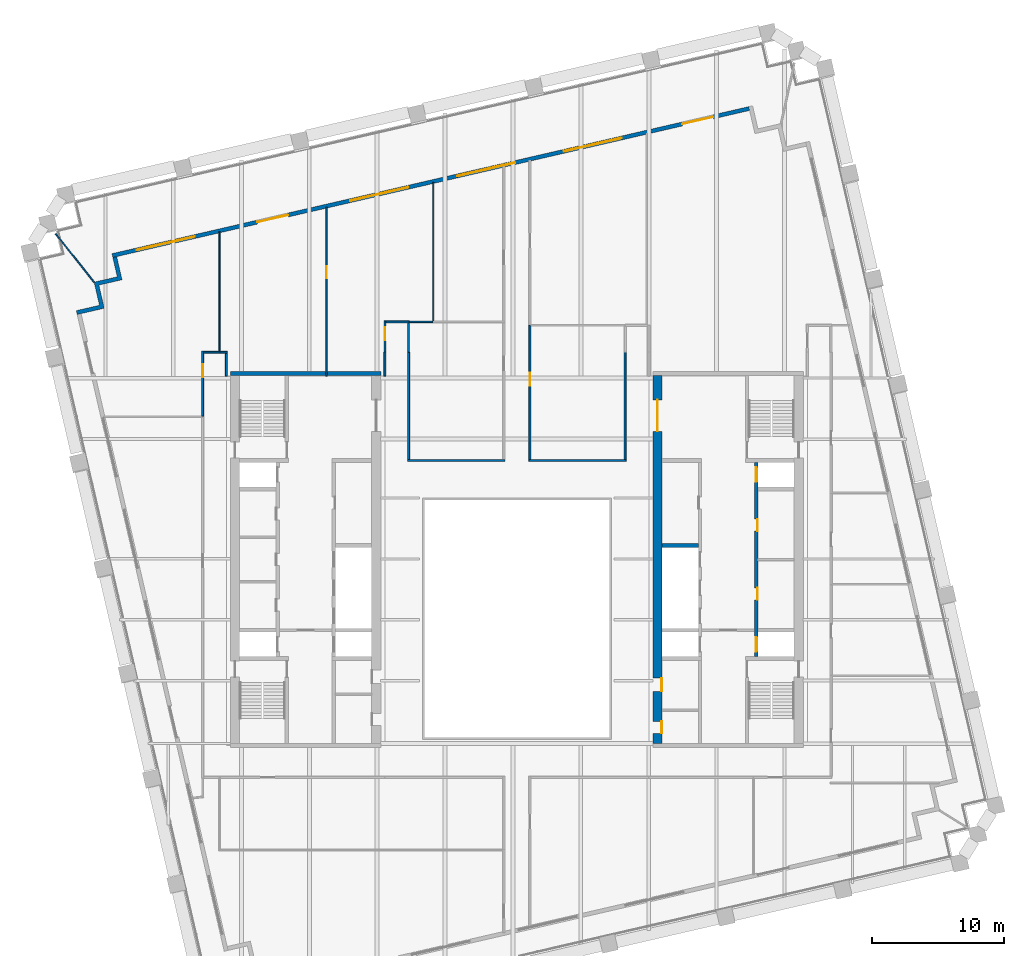
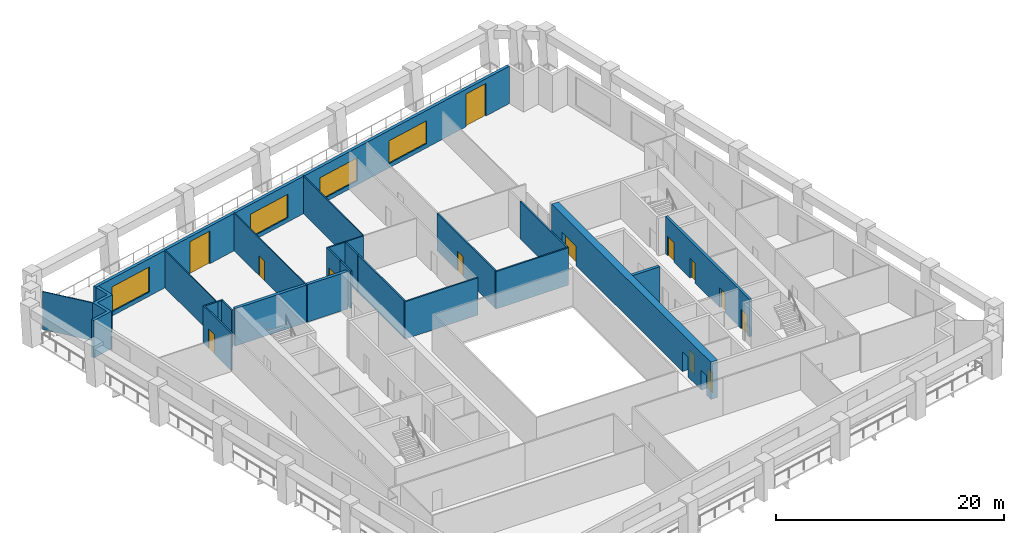
# One storey, part 6 of 10: 24 walls, 13 doors, 4 windows, 17 openings.
"""IFC4 building model written with IfcOpenShell, lengths in metres."""

from ifc_helpers import new_model, si_unit, direction, frame, frame_2d, origin, place, context, subcontext, project, spatial, polyline, rectangle, outline, extrude, material, layer, layer_set, type_object, element, fill, save


model = new_model("IFC4")

# Units and contexts
model_context = context("Model", 3, precision=1e-05, world=origin(), true_north=direction((0.0, 1.0)))
body_context = subcontext(model_context, "Body", "Model", "MODEL_VIEW")
ifc_project = project(units=[si_unit("LENGTHUNIT", "METRE"), si_unit("AREAUNIT", "SQUARE_METRE"), si_unit("VOLUMEUNIT", "CUBIC_METRE"), si_unit("PLANEANGLEUNIT", "RADIAN"), si_unit("MASSUNIT", "GRAM", prefix="KILO")], contexts=[model_context])

# Site, building, storey
site_placement = place(None, origin())
site = spatial("IfcSite", under=ifc_project, at=site_placement, CompositionType="ELEMENT")
building_placement = place(site_placement, origin())
building = spatial("IfcBuilding", under=site, at=building_placement, Name="Ogive Exchange Tower", CompositionType="ELEMENT")
storey_placement = place(building_placement, frame((0.0, 0.0, 196.800048828125)))
storey = spatial("IfcBuildingStorey", under=building, at=storey_placement, Name="L43", CompositionType="ELEMENT", Elevation=196.800048828125)

# Wall, opening, door
ifc_material_1 = material(Name="Fire partition EI 60 150")
ifc_layer_1 = layer(ifc_material_1, 0.14990234375)
ifc_layer_set_1 = layer_set([ifc_layer_1], Name="Fire partition EI 60 150")
wall_type_1 = type_object("IfcWallType", Name="Fire partition EI 60 150", PredefinedType="PARTITIONING", material=ifc_layer_set_1)
wall_1_placement = place(storey_placement, frame((-23.800048828125, 22.360107421875, 0.0), z_axis=(0.0, 0.0, 1.0), x_axis=(0.0, 1.0, 0.0)))
wall_1 = element("IfcWall", 1, at=wall_1_placement, inside=storey, type_object=wall_type_1, Name="L43-PWL-004", PredefinedType="PARTITIONING", context=body_context, shape_type="SweptSolid", body=[
    extrude(rectangle(XDim=4.914794921875, YDim=0.14990234375, at=frame_2d((2.45751953125, 0.0))), origin(), (0.0, 0.0, 1.0), 4.0),
])
opening_1_placement = place(wall_1_placement, frame((2.93994140625, 0.0, 0.0)))
opening_1 = element("IfcOpeningElement", 2, at=opening_1_placement, cuts=wall_1, Name="Opening L43-I06", PredefinedType="OPENING", context=body_context, shape_type="SweptSolid", body=[
    extrude(rectangle(XDim=1.0, YDim=2.10009765625, at=frame_2d((0.5, 1.050048828125))), frame((0.0, 0.0849609375, 0.0), z_axis=(0.0, -1.0, 0.0), x_axis=(1.0, 0.0, 0.0)), (0.0, 0.0, 1.0), 0.169921875),
])
ifc_material_2 = material(Name="Fire door FD 30S 1000 x 2100")
door_type_1 = type_object("IfcDoorType", Name="Fire door FD 30S 1000 x 2100", OperationType="NOTDEFINED", PredefinedType="DOOR", material=ifc_material_2)
door_1_placement = place(opening_1_placement, origin())
door_1 = element("IfcDoor", 3, at=door_1_placement, inside=storey, type_object=door_type_1, Name="L43-IDR-006", ObjectType="DT3", OperationType="SINGLE_SWING_RIGHT", OverallHeight=2.10009765625, OverallWidth=1.0, PredefinedType="DOOR", context=body_context, shape_type="SweptSolid", body=[
    extrude(rectangle(XDim=1.0, YDim=2.10009765625, at=frame_2d((0.5, 1.050048828125))), frame((0.0, 0.02490234375, 0.0), z_axis=(0.0, -1.0, 0.0), x_axis=(1.0, 0.0, 0.0)), (0.0, 0.0, 1.0), 0.050048828125),
])
fill(opening_1, door_1)

# Walls
wall_2_placement = place(storey_placement, frame((-23.72509765625, 27.199951171875, 0.0), z_axis=(0.0, 0.0, 1.0), x_axis=(1.0, 0.0, 0.0)))
element("IfcWall", 4, at=wall_2_placement, inside=storey, type_object=wall_type_1, Name="L43-PWL-005", PredefinedType="PARTITIONING", context=body_context, shape_type="SweptSolid", body=[
    extrude(rectangle(XDim=1.255126953125, YDim=0.14990234375, at=frame_2d((0.62744140625, 0.0))), origin(), (0.0, 0.0, 1.0), 4.0),
])
wall_3_placement = place(storey_placement, frame((-22.469970703125, 27.199951171875, 0.0), z_axis=(0.0, 0.0, 1.0), x_axis=(1.0, 0.0, 0.0)))
element("IfcWall", 5, at=wall_3_placement, inside=storey, type_object=wall_type_1, Name="L43-PWL-010", PredefinedType="PARTITIONING", context=body_context, shape_type="SweptSolid", body=[
    extrude(rectangle(XDim=0.544921875, YDim=0.14990234375, at=frame_2d((0.2724609375, 0.0))), origin(), (0.0, 0.0, 1.0), 4.0),
])
wall_4_placement = place(storey_placement, frame((-22.0, 27.125, 0.0), z_axis=(0.0, 0.0, 1.0), x_axis=(0.0, -1.0, 0.0)))
element("IfcWall", 6, at=wall_4_placement, inside=storey, type_object=wall_type_1, Name="L43-PWL-011", PredefinedType="PARTITIONING", context=body_context, shape_type="SweptSolid", body=[
    extrude(rectangle(XDim=1.72509765625, YDim=0.14990234375, at=frame_2d((0.862548828125, 0.0))), origin(), (0.0, 0.0, 1.0), 4.0),
])
wall_5_placement = place(storey_placement, frame((-10.0, 25.389892578125, 0.0), z_axis=(0.0, 0.0, 1.0), x_axis=(0.0, 1.0, 0.0)))
element("IfcWall", 7, at=wall_5_placement, inside=storey, type_object=wall_type_1, Name="L43-PWL-014", PredefinedType="PARTITIONING", context=body_context, shape_type="SweptSolid", body=[
    extrude(rectangle(XDim=1.81005859375, YDim=0.14990234375, at=frame_2d((0.905029296875, 0.0))), origin(), (0.0, 0.0, 1.0), 4.0),
])

# Wall, opening, door
wall_6_placement = place(storey_placement, frame((-9.989990234375, 27.199951171875, 0.0), z_axis=(0.0, 0.0, 1.0), x_axis=(0.0, 1.0, 0.0)))
wall_6 = element("IfcWall", 8, at=wall_6_placement, inside=storey, type_object=wall_type_1, Name="L43-PWL-015", PredefinedType="PARTITIONING", context=body_context, shape_type="SweptSolid", body=[
    extrude(rectangle(XDim=2.375, YDim=0.14990234375, at=frame_2d((1.1875, 0.0))), origin(), (0.0, 0.0, 1.0), 4.0),
])
opening_2_placement = place(wall_6_placement, frame((0.89990234375, 0.0, 0.0)))
opening_2 = element("IfcOpeningElement", 9, at=opening_2_placement, cuts=wall_6, Name="Opening L43-I03", PredefinedType="OPENING", context=body_context, shape_type="SweptSolid", body=[
    extrude(rectangle(XDim=1.0, YDim=2.10009765625, at=frame_2d((0.5, 1.050048828125))), frame((0.0, 0.0849609375, 0.0), z_axis=(0.0, -1.0, 0.0), x_axis=(1.0, 0.0, 0.0)), (0.0, 0.0, 1.0), 0.169921875),
])
door_2_placement = place(opening_2_placement, origin())
door_2 = element("IfcDoor", 10, at=door_2_placement, inside=storey, type_object=door_type_1, Name="L43-IDR-003", ObjectType="DT3", OperationType="SINGLE_SWING_LEFT", OverallHeight=2.10009765625, OverallWidth=1.0, PredefinedType="DOOR", context=body_context, shape_type="SweptSolid", body=[
    extrude(rectangle(XDim=1.0, YDim=2.10009765625, at=frame_2d((0.5, 1.050048828125))), frame((0.0, 0.02490234375, 0.0), z_axis=(0.0, -1.0, 0.0), x_axis=(1.0, 0.0, 0.0)), (0.0, 0.0, 1.0), 0.050048828125),
])
fill(opening_2, door_2)

# Walls
wall_7_placement = place(storey_placement, frame((-9.9150390625, 29.5, 0.0), z_axis=(0.0, 0.0, 1.0), x_axis=(1.0, 0.0, 0.0)))
element("IfcWall", 11, at=wall_7_placement, inside=storey, type_object=wall_type_1, Name="L43-PWL-016", PredefinedType="PARTITIONING", context=body_context, shape_type="SweptSolid", body=[
    extrude(rectangle(XDim=1.780029296875, YDim=0.14990234375, at=frame_2d((0.89013671875, 0.0))), origin(), (0.0, 0.0, 1.0), 4.0),
])
wall_8_placement = place(storey_placement, frame((-8.2099609375, 29.425048828125, 0.0), z_axis=(0.0, 0.0, 1.0), x_axis=(0.0, -1.0, 0.0)))
element("IfcWall", 12, at=wall_8_placement, inside=storey, type_object=wall_type_1, Name="L43-PWL-017", PredefinedType="PARTITIONING", context=body_context, shape_type="SweptSolid", body=[
    extrude(rectangle(XDim=2.22509765625, YDim=0.14990234375, at=frame_2d((1.112548828125, 0.0))), origin(), (0.0, 0.0, 1.0), 4.0),
])
wall_9_placement = place(storey_placement, frame((-8.27490234375, 19.0, 0.0), z_axis=(0.0, 0.0, 1.0), x_axis=(1.0, 0.0, 0.0)))
element("IfcWall", 13, at=wall_9_placement, inside=storey, type_object=wall_type_1, Name="L43-PWL-019", PredefinedType="PARTITIONING", context=body_context, shape_type="SweptSolid", body=[
    extrude(rectangle(XDim=7.35986328125, YDim=0.14990234375, at=frame_2d((3.679931640625, 0.0))), origin(), (0.0, 0.0, 1.0), 4.0),
])
wall_10_placement = place(storey_placement, frame((-8.199951171875, 27.199951171875, 0.0), z_axis=(0.0, 0.0, 1.0), x_axis=(0.0, -1.0, 0.0)))
element("IfcWall", 14, at=wall_10_placement, inside=storey, type_object=wall_type_1, Name="L43-PWL-020", PredefinedType="PARTITIONING", context=body_context, shape_type="SweptSolid", body=[
    extrude(rectangle(XDim=8.125, YDim=0.14990234375, at=frame_2d((4.0625, 0.0))), origin(), (0.0, 0.0, 1.0), 4.0),
])
wall_11_placement = place(storey_placement, frame((0.9150390625, 19.0, 0.0), z_axis=(0.0, 0.0, 1.0), x_axis=(1.0, 0.0, 0.0)))
element("IfcWall", 15, at=wall_11_placement, inside=storey, type_object=wall_type_1, Name="L43-PWL-030", PredefinedType="PARTITIONING", context=body_context, shape_type="SweptSolid", body=[
    extrude(rectangle(XDim=7.35986328125, YDim=0.14990234375, at=frame_2d((3.679931640625, 0.0))), origin(), (0.0, 0.0, 1.0), 4.0),
])

# Wall, opening, door
wall_12_placement = place(storey_placement, frame((0.989990234375, 29.239990234375, 0.0), z_axis=(0.0, 0.0, 1.0), x_axis=(0.0, -1.0, 0.0)))
wall_12 = element("IfcWall", 16, at=wall_12_placement, inside=storey, type_object=wall_type_1, Name="L43-PWL-031", PredefinedType="PARTITIONING", context=body_context, shape_type="SweptSolid", body=[
    extrude(rectangle(XDim=10.1650390625, YDim=0.14990234375, at=frame_2d((5.08251953125, 0.0))), origin(), (0.0, 0.0, 1.0), 4.0),
])
opening_3_placement = place(wall_12_placement, frame((3.590087890625, 0.0, 0.0)))
opening_3 = element("IfcOpeningElement", 17, at=opening_3_placement, cuts=wall_12, Name="Opening L43-I09", PredefinedType="OPENING", context=body_context, shape_type="SweptSolid", body=[
    extrude(rectangle(XDim=1.0, YDim=2.10009765625, at=frame_2d((0.5, 1.050048828125))), frame((0.0, 0.0849609375, 0.0), z_axis=(0.0, -1.0, 0.0), x_axis=(1.0, 0.0, 0.0)), (0.0, 0.0, 1.0), 0.169921875),
])
door_3_placement = place(opening_3_placement, origin())
door_3 = element("IfcDoor", 18, at=door_3_placement, inside=storey, type_object=door_type_1, Name="L43-IDR-009", ObjectType="DT3", OperationType="SINGLE_SWING_RIGHT", OverallHeight=2.10009765625, OverallWidth=1.0, PredefinedType="DOOR", context=body_context, shape_type="SweptSolid", body=[
    extrude(rectangle(XDim=1.0, YDim=2.10009765625, at=frame_2d((0.5, 1.050048828125))), frame((0.0, 0.02490234375, 0.0), z_axis=(0.0, -1.0, 0.0), x_axis=(1.0, 0.0, 0.0)), (0.0, 0.0, 1.0), 0.050048828125),
])
fill(opening_3, door_3)

# Wall
wall_13_placement = place(storey_placement, frame((8.199951171875, 19.074951171875, 0.0), z_axis=(0.0, 0.0, 1.0), x_axis=(0.0, 1.0, 0.0)))
element("IfcWall", 19, at=wall_13_placement, inside=storey, type_object=wall_type_1, Name="L43-PWL-034", PredefinedType="PARTITIONING", context=body_context, shape_type="SweptSolid", body=[
    extrude(rectangle(XDim=8.125, YDim=0.14990234375, at=frame_2d((4.0625, 0.0))), origin(), (0.0, 0.0, 1.0), 4.0),
])

# Wall, openings, doors, windows
ifc_material_3 = material(Name="Precast concrete C40/50", Category="concrete")
ifc_layer_2 = layer(ifc_material_3, 0.300048828125)
ifc_layer_set_2 = layer_set([ifc_layer_2], Name="Limestone-faced wall 300")
wall_type_2 = type_object("IfcWallType", Name="Limestone-faced wall 300", PredefinedType="STANDARD", material=ifc_layer_set_2)
wall_14_placement = place(storey_placement, frame((17.592041015625, 45.6572265625, 0.0), z_axis=(0.0, 0.0, 1.0), x_axis=(-0.974370243697, -0.224950279389, 0.0)))
wall_14 = element("IfcWall", 20, at=wall_14_placement, inside=storey, type_object=wall_type_2, Name="External wall N3", PredefinedType="STANDARD", context=body_context, shape_type="SweptSolid", body=[
    extrude(rectangle(XDim=49.499755859375, YDim=0.300048828125, at=frame_2d((24.75, 0.0))), origin(), (0.0, 0.0, 1.0), 4.0),
])
opening_4_placement = place(wall_14_placement, frame((2.800048828125, 0.0, 0.0)))
opening_4 = element("IfcOpeningElement", 21, at=opening_4_placement, cuts=wall_14, Name="Opening D1", PredefinedType="OPENING", context=body_context, shape_type="SweptSolid", body=[
    extrude(rectangle(XDim=2.39990234375, YDim=3.5, at=frame_2d((1.199951171875, 1.75))), frame((0.0, 0.159912109375, 0.0), z_axis=(0.0, -1.0, 0.0), x_axis=(1.0, 0.0, 0.0)), (0.0, 0.0, 1.0), 0.320068359375),
])
opening_5_placement = place(wall_14_placement, frame((9.89990234375, 0.0, 0.449951171875)))
opening_5 = element("IfcOpeningElement", 22, at=opening_5_placement, cuts=wall_14, Name="Opening W1Q", PredefinedType="OPENING", context=body_context, shape_type="SweptSolid", body=[
    extrude(rectangle(XDim=4.5, YDim=2.449951171875, at=frame_2d((2.25, 1.22509765625))), frame((0.0, 0.159912109375, 0.0), z_axis=(0.0, -1.0, 0.0), x_axis=(1.0, 0.0, 0.0)), (0.0, 0.0, 1.0), 0.320068359375),
])
opening_6_placement = place(wall_14_placement, frame((18.199951171875, 0.0, 0.449951171875)))
opening_6 = element("IfcOpeningElement", 23, at=opening_6_placement, cuts=wall_14, Name="Opening W1Q", PredefinedType="OPENING", context=body_context, shape_type="SweptSolid", body=[
    extrude(rectangle(XDim=4.5, YDim=2.449951171875, at=frame_2d((2.25, 1.22509765625))), frame((0.0, 0.159912109375, 0.0), z_axis=(0.0, -1.0, 0.0), x_axis=(1.0, 0.0, 0.0)), (0.0, 0.0, 1.0), 0.320068359375),
])
opening_7_placement = place(wall_14_placement, frame((26.5, 0.0, 0.449951171875)))
opening_7 = element("IfcOpeningElement", 24, at=opening_7_placement, cuts=wall_14, Name="Opening W1N", PredefinedType="OPENING", context=body_context, shape_type="SweptSolid", body=[
    extrude(rectangle(XDim=4.5, YDim=2.52490234375, at=frame_2d((2.25, 1.262451171875))), frame((0.0, 0.159912109375, 0.0), z_axis=(0.0, -1.0, 0.0), x_axis=(1.0, 0.0, 0.0)), (0.0, 0.0, 1.0), 0.320068359375),
])
opening_8_placement = place(wall_14_placement, frame((35.85009765625, 0.0, 0.0)))
opening_8 = element("IfcOpeningElement", 25, at=opening_8_placement, cuts=wall_14, Name="Opening D1", PredefinedType="OPENING", context=body_context, shape_type="SweptSolid", body=[
    extrude(rectangle(XDim=2.39990234375, YDim=3.5, at=frame_2d((1.199951171875, 1.75))), frame((0.0, 0.159912109375, 0.0), z_axis=(0.0, -1.0, 0.0), x_axis=(1.0, 0.0, 0.0)), (0.0, 0.0, 1.0), 0.320068359375),
])
opening_9_placement = place(wall_14_placement, frame((43.10009765625, 0.0, 0.449951171875)))
opening_9 = element("IfcOpeningElement", 26, at=opening_9_placement, cuts=wall_14, Name="Opening W1J", PredefinedType="OPENING", context=body_context, shape_type="SweptSolid", body=[
    extrude(rectangle(XDim=4.5, YDim=2.675048828125, at=frame_2d((2.25, 1.33740234375))), frame((0.0, 0.159912109375, 0.0), z_axis=(0.0, -1.0, 0.0), x_axis=(1.0, 0.0, 0.0)), (0.0, 0.0, 1.0), 0.320068359375),
])
ifc_material_4 = material(Name="Clear glass in bronze frame", Category="glass")
door_type_2 = type_object("IfcDoorType", Name="Sliding loggia door 2400 x 3500", OperationType="DOUBLE_DOOR_SLIDING", PredefinedType="DOOR", material=ifc_material_4)
door_4_placement = place(opening_4_placement, origin())
door_4 = element("IfcDoor", 27, at=door_4_placement, inside=storey, type_object=door_type_2, Name="Loggia door N00", OperationType="DOUBLE_DOOR_SLIDING", OverallHeight=3.5, OverallWidth=2.39990234375, PredefinedType="DOOR", context=body_context, shape_type="SweptSolid", body=[
    extrude(rectangle(XDim=2.39990234375, YDim=3.5, at=frame_2d((1.199951171875, 1.75))), frame((0.0, 0.02490234375, 0.0), z_axis=(0.0, -1.0, 0.0), x_axis=(1.0, 0.0, 0.0)), (0.0, 0.0, 1.0), 0.050048828125),
])
fill(opening_4, door_4)
door_5_placement = place(opening_8_placement, origin())
door_5 = element("IfcDoor", 28, at=door_5_placement, inside=storey, type_object=door_type_2, Name="Loggia door N04", OperationType="DOUBLE_DOOR_SLIDING", OverallHeight=3.5, OverallWidth=2.39990234375, PredefinedType="DOOR", context=body_context, shape_type="SweptSolid", body=[
    extrude(rectangle(XDim=2.39990234375, YDim=3.5, at=frame_2d((1.199951171875, 1.75))), frame((0.0, 0.02490234375, 0.0), z_axis=(0.0, -1.0, 0.0), x_axis=(1.0, 0.0, 0.0)), (0.0, 0.0, 1.0), 0.050048828125),
])
fill(opening_8, door_5)
window_type_1 = type_object("IfcWindowType", Name="Twin lancet window 4500 x 2450", PartitioningType="DOUBLE_PANEL_VERTICAL", PredefinedType="WINDOW", material=ifc_material_4)
window_1_placement = place(opening_5_placement, origin())
window_1 = element("IfcWindow", 29, at=window_1_placement, inside=storey, type_object=window_type_1, Name="Window N01", OverallHeight=2.449951171875, OverallWidth=4.5, PartitioningType="DOUBLE_PANEL_VERTICAL", PredefinedType="WINDOW", context=body_context, shape_type="SweptSolid", body=[
    extrude(rectangle(XDim=4.5, YDim=2.449951171875, at=frame_2d((2.25, 1.22509765625))), frame((0.0, 0.030029296875, 0.0), z_axis=(0.0, -1.0, 0.0), x_axis=(1.0, 0.0, 0.0)), (0.0, 0.0, 1.0), 0.06005859375),
])
fill(opening_5, window_1)
window_2_placement = place(opening_6_placement, origin())
window_2 = element("IfcWindow", 30, at=window_2_placement, inside=storey, type_object=window_type_1, Name="Window N02", OverallHeight=2.449951171875, OverallWidth=4.5, PartitioningType="DOUBLE_PANEL_VERTICAL", PredefinedType="WINDOW", context=body_context, shape_type="SweptSolid", body=[
    extrude(rectangle(XDim=4.5, YDim=2.449951171875, at=frame_2d((2.25, 1.22509765625))), frame((0.0, 0.030029296875, 0.0), z_axis=(0.0, -1.0, 0.0), x_axis=(1.0, 0.0, 0.0)), (0.0, 0.0, 1.0), 0.06005859375),
])
fill(opening_6, window_2)
window_type_2 = type_object("IfcWindowType", Name="Twin lancet window 4500 x 2525", PartitioningType="DOUBLE_PANEL_VERTICAL", PredefinedType="WINDOW", material=ifc_material_4)
window_3_placement = place(opening_7_placement, origin())
window_3 = element("IfcWindow", 31, at=window_3_placement, inside=storey, type_object=window_type_2, Name="Window N03", OverallHeight=2.52490234375, OverallWidth=4.5, PartitioningType="DOUBLE_PANEL_VERTICAL", PredefinedType="WINDOW", context=body_context, shape_type="SweptSolid", body=[
    extrude(rectangle(XDim=4.5, YDim=2.52490234375, at=frame_2d((2.25, 1.262451171875))), frame((0.0, 0.030029296875, 0.0), z_axis=(0.0, -1.0, 0.0), x_axis=(1.0, 0.0, 0.0)), (0.0, 0.0, 1.0), 0.06005859375),
])
fill(opening_7, window_3)
window_type_3 = type_object("IfcWindowType", Name="Twin lancet window 4500 x 2675", PartitioningType="DOUBLE_PANEL_VERTICAL", PredefinedType="WINDOW", material=ifc_material_4)
window_4_placement = place(opening_9_placement, origin())
window_4 = element("IfcWindow", 32, at=window_4_placement, inside=storey, type_object=window_type_3, Name="Window N05", OverallHeight=2.675048828125, OverallWidth=4.5, PartitioningType="DOUBLE_PANEL_VERTICAL", PredefinedType="WINDOW", context=body_context, shape_type="SweptSolid", body=[
    extrude(rectangle(XDim=4.5, YDim=2.675048828125, at=frame_2d((2.25, 1.33740234375))), frame((0.0, 0.030029296875, 0.0), z_axis=(0.0, -1.0, 0.0), x_axis=(1.0, 0.0, 0.0)), (0.0, 0.0, 1.0), 0.06005859375),
])
fill(opening_9, window_4)

# Walls
wall_15_placement = place(storey_placement, origin())
element("IfcWall", 33, at=wall_15_placement, inside=storey, type_object=wall_type_2, Name="External corner wall C3", PredefinedType="STANDARD", context=body_context, shape_type="SweptSolid", body=[
    extrude(outline(polyline([(-31.616943359375, 30.755615234375), (-32.02197265625, 32.509521484375), (-30.26806640625, 32.914306640625), (-30.60546875, 34.3759765625), (-30.31298828125, 34.443359375), (-29.908203125, 32.689697265625), (-31.662109375, 32.28466796875), (-31.257080078125, 30.53076171875), (-33.30322265625, 30.058349609375), (-33.370849609375, 30.3505859375), (-31.616943359375, 30.755615234375)])), origin(), (0.0, 0.0, 1.0), 4.0),
])
ifc_material_5 = material(Name="Laminated safety glass in steel frame", Category="steel")
ifc_layer_3 = layer(ifc_material_5, 0.10009765625)
ifc_layer_set_3 = layer_set([ifc_layer_3], Name="Loggia end screen 100")
wall_type_3 = type_object("IfcWallType", Name="Loggia end screen 100", PredefinedType="STANDARD", material=ifc_layer_set_3)
wall_16_placement = place(storey_placement, frame((-32.02197265625, 32.509521484375, -0.050048828125), z_axis=(0.0, 0.0, 1.0), x_axis=(-0.623096408526, 0.782145041333, 0.0)))
element("IfcWall", 34, at=wall_16_placement, inside=storey, type_object=wall_type_3, Name="Loggia end screen C3", PredefinedType="STANDARD", context=body_context, shape_type="SweptSolid", body=[
    extrude(rectangle(XDim=4.697021484375, YDim=0.10009765625, at=frame_2d((2.3486328125, 0.0))), origin(), (0.0, 0.0, 1.0), 4.050048828125),
])
ifc_material_6 = material(Name="Partition 100 gypsum")
ifc_layer_4 = layer(ifc_material_6, 0.10009765625)
ifc_layer_set_4 = layer_set([ifc_layer_4], Name="Partition 100 gypsum")
wall_type_4 = type_object("IfcWallType", Name="Partition 100 gypsum", PredefinedType="PARTITIONING", material=ifc_layer_set_4)
wall_17_placement = place(storey_placement, frame((-22.52001953125, 27.27490234375, 0.0), z_axis=(0.0, 0.0, 1.0), x_axis=(0.0, 1.0, 0.0)))
element("IfcWall", 35, at=wall_17_placement, inside=storey, type_object=wall_type_4, Name="L43-PWL-009", PredefinedType="PARTITIONING", context=body_context, shape_type="SweptSolid", body=[
    extrude(rectangle(XDim=9.050048828125, YDim=0.10009765625, at=frame_2d((4.52490234375, 0.0))), origin(), (0.0, 0.0, 1.0), 4.0),
])

# Wall, opening, door
wall_18_placement = place(storey_placement, frame((-14.429931640625, 38.193115234375, 0.0), z_axis=(0.0, 0.0, 1.0), x_axis=(0.0, -1.0, 0.0)))
wall_18 = element("IfcWall", 36, at=wall_18_placement, inside=storey, type_object=wall_type_4, Name="L43-PWL-012", PredefinedType="PARTITIONING", context=body_context, shape_type="SweptSolid", body=[
    extrude(rectangle(XDim=12.793212890625, YDim=0.10009765625, at=frame_2d((6.396484375, 0.0))), origin(), (0.0, 0.0, 1.0), 4.0),
])
opening_10_placement = place(wall_18_placement, frame((4.472900390625, 0.0, 0.0)))
opening_10 = element("IfcOpeningElement", 37, at=opening_10_placement, cuts=wall_18, Name="Opening L43-I01", PredefinedType="OPENING", context=body_context, shape_type="SweptSolid", body=[
    extrude(rectangle(XDim=0.89990234375, YDim=2.10009765625, at=frame_2d((0.449951171875, 1.050048828125))), frame((0.0, 0.06005859375, 0.0), z_axis=(0.0, -1.0, 0.0), x_axis=(1.0, 0.0, 0.0)), (0.0, 0.0, 1.0), 0.1201171875),
])
ifc_material_7 = material(Name="Door 900 x 2100")
door_type_3 = type_object("IfcDoorType", Name="Door 900 x 2100", OperationType="NOTDEFINED", PredefinedType="DOOR", material=ifc_material_7)
door_6_placement = place(opening_10_placement, frame((0.89990234375, 0.0, 0.0), z_axis=(0.0, 0.0, 1.0), x_axis=(-1.0, 0.0, 0.0)))
door_6 = element("IfcDoor", 38, at=door_6_placement, inside=storey, type_object=door_type_3, Name="L43-IDR-001", ObjectType="DT1", OperationType="SINGLE_SWING_RIGHT", OverallHeight=2.10009765625, OverallWidth=0.89990234375, PredefinedType="DOOR", context=body_context, shape_type="SweptSolid", body=[
    extrude(rectangle(XDim=0.89990234375, YDim=2.10009765625, at=frame_2d((0.449951171875, 1.050048828125))), frame((0.0, 0.02490234375, 0.0), z_axis=(0.0, -1.0, 0.0), x_axis=(1.0, 0.0, 0.0)), (0.0, 0.0, 1.0), 0.050048828125),
])
fill(opening_10, door_6)

# Walls
wall_19_placement = place(storey_placement, frame((-8.135009765625, 29.5, 0.0), z_axis=(0.0, 0.0, 1.0), x_axis=(1.0, 0.0, 0.0)))
element("IfcWall", 39, at=wall_19_placement, inside=storey, type_object=wall_type_4, Name="L43-PWL-018", PredefinedType="PARTITIONING", context=body_context, shape_type="SweptSolid", body=[
    extrude(rectangle(XDim=1.7451171875, YDim=0.10009765625, at=frame_2d((0.87255859375, 0.0))), origin(), (0.0, 0.0, 1.0), 4.0),
])
wall_20_placement = place(storey_placement, frame((-6.340087890625, 40.06103515625, 0.0), z_axis=(0.0, 0.0, 1.0), x_axis=(0.0, -1.0, 0.0)))
element("IfcWall", 40, at=wall_20_placement, inside=storey, type_object=wall_type_4, Name="L43-PWL-022", PredefinedType="PARTITIONING", context=body_context, shape_type="SweptSolid", body=[
    extrude(rectangle(XDim=10.510986328125, YDim=0.10009765625, at=frame_2d((5.25537109375, 0.0))), origin(), (0.0, 0.0, 1.0), 4.0),
])

# Wall, openings, doors
ifc_material_8 = material(Name="Concrete C70/85", Category="concrete")
ifc_layer_5 = layer(ifc_material_8, 0.25)
ifc_layer_set_5 = layer_set([ifc_layer_5], Name="RC core wall 250 C70/85")
wall_type_5 = type_object("IfcWallType", Name="RC core wall 250 C70/85", PredefinedType="SHEAR", material=ifc_layer_set_5)
wall_21_placement = place(storey_placement, frame((18.125, 4.14990234375, 0.0), z_axis=(0.0, 0.0, 1.0), x_axis=(0.0, 1.0, 0.0)))
wall_21 = element("IfcWall", 41, at=wall_21_placement, inside=storey, type_object=wall_type_5, Name="E row A front wall", PredefinedType="SHEAR", context=body_context, shape_type="SweptSolid", body=[
    extrude(rectangle(XDim=14.7001953125, YDim=0.25, at=frame_2d((7.35009765625, 0.0))), origin(), (0.0, 0.0, 1.0), 4.0),
])
opening_11_placement = place(wall_21_placement, frame((4.29638671875, 0.0, 0.0)))
opening_11 = element("IfcOpeningElement", 42, at=opening_11_placement, cuts=wall_21, Name="Opening L43-C19", PredefinedType="OPENING", context=body_context, shape_type="SweptSolid", body=[
    extrude(rectangle(XDim=0.89990234375, YDim=2.10009765625, at=frame_2d((0.449951171875, 1.050048828125))), frame((0.0, 0.135009765625, 0.0), z_axis=(0.0, -1.0, 0.0), x_axis=(1.0, 0.0, 0.0)), (0.0, 0.0, 1.0), 0.27001953125),
])
opening_12_placement = place(wall_21_placement, frame((9.503662109375, 0.0, 0.0)))
opening_12 = element("IfcOpeningElement", 43, at=opening_12_placement, cuts=wall_21, Name="Opening L43-C20", PredefinedType="OPENING", context=body_context, shape_type="SweptSolid", body=[
    extrude(rectangle(XDim=0.89990234375, YDim=2.10009765625, at=frame_2d((0.449951171875, 1.050048828125))), frame((0.0, 0.135009765625, 0.0), z_axis=(0.0, -1.0, 0.0), x_axis=(1.0, 0.0, 0.0)), (0.0, 0.0, 1.0), 0.27001953125),
])
opening_13_placement = place(wall_21_placement, frame((0.371337890625, 0.0, 0.0)))
opening_13 = element("IfcOpeningElement", 44, at=opening_13_placement, cuts=wall_21, Name="Opening L43-C21", PredefinedType="OPENING", context=body_context, shape_type="SweptSolid", body=[
    extrude(rectangle(XDim=1.10009765625, YDim=2.10009765625, at=frame_2d((0.550048828125, 1.050048828125))), frame((0.0, 0.135009765625, 0.0), z_axis=(0.0, -1.0, 0.0), x_axis=(1.0, 0.0, 0.0)), (0.0, 0.0, 1.0), 0.27001953125),
])
opening_14_placement = place(wall_21_placement, frame((13.228515625, 0.0, 0.0)))
opening_14 = element("IfcOpeningElement", 45, at=opening_14_placement, cuts=wall_21, Name="Opening L43-C22", PredefinedType="OPENING", context=body_context, shape_type="SweptSolid", body=[
    extrude(rectangle(XDim=1.10009765625, YDim=2.10009765625, at=frame_2d((0.550048828125, 1.050048828125))), frame((0.0, 0.135009765625, 0.0), z_axis=(0.0, -1.0, 0.0), x_axis=(1.0, 0.0, 0.0)), (0.0, 0.0, 1.0), 0.27001953125),
])
ifc_material_9 = material(Name="Timber fire door", Category="wood")
door_type_4 = type_object("IfcDoorType", Name="Core room door FD30S 900 x 2100", OperationType="NOTDEFINED", PredefinedType="DOOR", material=ifc_material_9)
door_7_placement = place(opening_12_placement, frame((0.89990234375, -0.2001953125, 0.0), z_axis=(0.0, 0.0, 1.0), x_axis=(-1.0, 0.0, 0.0)))
door_7 = element("IfcDoor", 46, at=door_7_placement, inside=storey, type_object=door_type_4, Name="Core room door", ObjectType="CD6", OperationType="SINGLE_SWING_RIGHT", OverallHeight=2.10009765625, OverallWidth=0.89990234375, PredefinedType="DOOR", context=body_context, shape_type="SweptSolid", body=[
    extrude(rectangle(XDim=0.89990234375, YDim=2.10009765625, at=frame_2d((0.449951171875, 1.050048828125))), frame((0.0, -0.0751953125, 0.0), z_axis=(0.0, -1.0, 0.0), x_axis=(1.0, 0.0, 0.0)), (0.0, 0.0, 1.0), 0.050048828125),
])
fill(opening_12, door_7)
ifc_material_10 = material(Name="Stainless steel", Category="steel")
door_type_5 = type_object("IfcDoorType", Name="Lift landing door FD90 1100 x 2100", OperationType="SLIDING_TO_LEFT", PredefinedType="DOOR", material=ifc_material_10)
door_8_placement = place(opening_13_placement, origin())
door_8 = element("IfcDoor", 47, at=door_8_placement, inside=storey, type_object=door_type_5, Name="Lift landing door FF2", ObjectType="LD", OperationType="SLIDING_TO_LEFT", OverallHeight=2.10009765625, OverallWidth=1.10009765625, PredefinedType="DOOR", context=body_context, shape_type="SweptSolid", body=[
    extrude(rectangle(XDim=1.10009765625, YDim=2.10009765625, at=frame_2d((0.550048828125, 1.050048828125))), frame((0.0, 0.02490234375, 0.0), z_axis=(0.0, -1.0, 0.0), x_axis=(1.0, 0.0, 0.0)), (0.0, 0.0, 1.0), 0.050048828125),
])
fill(opening_13, door_8)
door_9_placement = place(opening_14_placement, origin())
door_9 = element("IfcDoor", 48, at=door_9_placement, inside=storey, type_object=door_type_5, Name="Lift landing door E-SH2", ObjectType="LD", OperationType="SLIDING_TO_LEFT", OverallHeight=2.10009765625, OverallWidth=1.10009765625, PredefinedType="DOOR", context=body_context, shape_type="SweptSolid", body=[
    extrude(rectangle(XDim=1.10009765625, YDim=2.10009765625, at=frame_2d((0.550048828125, 1.050048828125))), frame((0.0, 0.02490234375, 0.0), z_axis=(0.0, -1.0, 0.0), x_axis=(1.0, 0.0, 0.0)), (0.0, 0.0, 1.0), 0.050048828125),
])
fill(opening_14, door_9)
ifc_material_11 = material(Name="Steel fire door", Category="steel")
door_type_6 = type_object("IfcDoorType", Name="Riser door FD60 900 x 2100", OperationType="NOTDEFINED", PredefinedType="DOOR", material=ifc_material_11)
door_10_placement = place(opening_11_placement, frame((0.89990234375, -0.2001953125, 0.0), z_axis=(0.0, 0.0, 1.0), x_axis=(-1.0, 0.0, 0.0)))
door_10 = element("IfcDoor", 49, at=door_10_placement, inside=storey, type_object=door_type_6, Name="Riser door", ObjectType="CD2", OperationType="SINGLE_SWING_LEFT", OverallHeight=2.10009765625, OverallWidth=0.89990234375, PredefinedType="DOOR", context=body_context, shape_type="SweptSolid", body=[
    extrude(rectangle(XDim=0.89990234375, YDim=2.10009765625, at=frame_2d((0.449951171875, 1.050048828125))), frame((0.0, -0.0751953125, 0.0), z_axis=(0.0, -1.0, 0.0), x_axis=(1.0, 0.0, 0.0)), (0.0, 0.0, 1.0), 0.050048828125),
])
fill(opening_11, door_10)

# Walls
ifc_layer_6 = layer(ifc_material_8, 0.300048828125)
ifc_layer_set_6 = layer_set([ifc_layer_6], Name="RC core wall 300 C70/85")
wall_type_6 = type_object("IfcWallType", Name="RC core wall 300 C70/85", PredefinedType="SHEAR", material=ifc_layer_set_6)
wall_22_placement = place(storey_placement, frame((-21.699951171875, 25.60009765625, 0.0), z_axis=(0.0, 0.0, 1.0), x_axis=(1.0, 0.0, 0.0)))
element("IfcWall", 50, at=wall_22_placement, inside=storey, type_object=wall_type_6, Name="W north end wall", PredefinedType="SHEAR", context=body_context, shape_type="SweptSolid", body=[
    extrude(rectangle(XDim=11.39990234375, YDim=0.300048828125, at=frame_2d((5.699951171875, 0.0))), origin(), (0.0, 0.0, 1.0), 4.0),
])
wall_23_placement = place(storey_placement, frame((11.0, 12.5712890625, 0.0), z_axis=(0.0, 0.0, 1.0), x_axis=(1.0, 0.0, 0.0)))
element("IfcWall", 51, at=wall_23_placement, inside=storey, type_object=wall_type_6, Name="E row B divider 4", PredefinedType="SHEAR", context=body_context, shape_type="SweptSolid", body=[
    extrude(rectangle(XDim=2.75, YDim=0.300048828125, at=frame_2d((1.375, 0.0))), origin(), (0.0, 0.0, 1.0), 4.0),
])

# Wall, openings, doors
ifc_layer_7 = layer(ifc_material_8, 0.699951171875)
ifc_layer_set_7 = layer_set([ifc_layer_7], Name="RC core wall 700 C70/85")
wall_type_7 = type_object("IfcWallType", Name="RC core wall 700 C70/85", PredefinedType="SHEAR", material=ifc_layer_set_7)
wall_24_placement = place(storey_placement, frame((10.64990234375, -2.449951171875, 0.0), z_axis=(0.0, 0.0, 1.0), x_axis=(0.0, 1.0, 0.0)))
wall_24 = element("IfcWall", 52, at=wall_24_placement, inside=storey, type_object=wall_type_7, Name="E inner wall", PredefinedType="SHEAR", context=body_context, shape_type="SweptSolid", body=[
    extrude(rectangle(XDim=27.89990234375, YDim=0.699951171875, at=frame_2d((13.949951171875, 0.0))), origin(), (0.0, 0.0, 1.0), 4.0),
])
opening_15_placement = place(wall_24_placement, frame((23.64990234375, 0.0, 0.0)))
opening_15 = element("IfcOpeningElement", 53, at=opening_15_placement, cuts=wall_24, Name="Opening L43-C29", PredefinedType="OPENING", context=body_context, shape_type="SweptSolid", body=[
    extrude(rectangle(XDim=2.39990234375, YDim=2.10009765625, at=frame_2d((1.199951171875, 1.050048828125))), frame((0.0, 0.35986328125, 0.0), z_axis=(0.0, -1.0, 0.0), x_axis=(1.0, 0.0, 0.0)), (0.0, 0.0, 1.0), 0.719970703125),
])
opening_16_placement = place(wall_24_placement, frame((0.78759765625, 0.0, 0.0)))
opening_16 = element("IfcOpeningElement", 54, at=opening_16_placement, cuts=wall_24, Name="Opening L43-C34", PredefinedType="OPENING", context=body_context, shape_type="SweptSolid", body=[
    extrude(rectangle(XDim=0.89990234375, YDim=2.10009765625, at=frame_2d((0.449951171875, 1.050048828125))), frame((0.0, 0.35986328125, 0.0), z_axis=(0.0, -1.0, 0.0), x_axis=(1.0, 0.0, 0.0)), (0.0, 0.0, 1.0), 0.719970703125),
])
opening_17_placement = place(wall_24_placement, frame((3.96240234375, 0.0, 0.0)))
opening_17 = element("IfcOpeningElement", 55, at=opening_17_placement, cuts=wall_24, Name="Opening L43-C35", PredefinedType="OPENING", context=body_context, shape_type="SweptSolid", body=[
    extrude(rectangle(XDim=1.0, YDim=2.10009765625, at=frame_2d((0.5, 1.050048828125))), frame((0.0, 0.35986328125, 0.0), z_axis=(0.0, -1.0, 0.0), x_axis=(1.0, 0.0, 0.0)), (0.0, 0.0, 1.0), 0.719970703125),
])
door_type_7 = type_object("IfcDoorType", Name="Accessible WC door FD30S 1000 x 2100", OperationType="NOTDEFINED", PredefinedType="DOOR", material=ifc_material_9)
door_11_placement = place(opening_17_placement, frame((1.0, -0.64990234375, 0.0), z_axis=(0.0, 0.0, 1.0), x_axis=(-1.0, 0.0, 0.0)))
door_11 = element("IfcDoor", 56, at=door_11_placement, inside=storey, type_object=door_type_7, Name="Accessible WC door", ObjectType="CD7", OperationType="SINGLE_SWING_RIGHT", OverallHeight=2.10009765625, OverallWidth=1.0, PredefinedType="DOOR", context=body_context, shape_type="SweptSolid", body=[
    extrude(rectangle(XDim=1.0, YDim=2.10009765625, at=frame_2d((0.5, 1.050048828125))), frame((0.0, -0.2998046875, 0.0), z_axis=(0.0, -1.0, 0.0), x_axis=(1.0, 0.0, 0.0)), (0.0, 0.0, 1.0), 0.050048828125),
])
fill(opening_17, door_11)
door_12_placement = place(opening_16_placement, frame((0.89990234375, -0.64990234375, 0.0), z_axis=(0.0, 0.0, 1.0), x_axis=(-1.0, 0.0, 0.0)))
door_12 = element("IfcDoor", 57, at=door_12_placement, inside=storey, type_object=door_type_4, Name="Core room door", ObjectType="CD6", OperationType="SINGLE_SWING_RIGHT", OverallHeight=2.10009765625, OverallWidth=0.89990234375, PredefinedType="DOOR", context=body_context, shape_type="SweptSolid", body=[
    extrude(rectangle(XDim=0.89990234375, YDim=2.10009765625, at=frame_2d((0.449951171875, 1.050048828125))), frame((0.0, -0.2998046875, 0.0), z_axis=(0.0, -1.0, 0.0), x_axis=(1.0, 0.0, 0.0)), (0.0, 0.0, 1.0), 0.050048828125),
])
fill(opening_16, door_12)
ifc_material_12 = material(Name="Glazed steel fire door", Category="steel")
door_type_8 = type_object("IfcDoorType", Name="Lift lobby double door FD60 2400 x 2100", OperationType="DOUBLE_DOOR_SINGLE_SWING", PredefinedType="DOOR", material=ifc_material_12)
door_13_placement = place(opening_15_placement, origin())
door_13 = element("IfcDoor", 58, at=door_13_placement, inside=storey, type_object=door_type_8, Name="Lift lobby double door", ObjectType="CD4", OperationType="DOUBLE_DOOR_SINGLE_SWING", OverallHeight=2.10009765625, OverallWidth=2.39990234375, PredefinedType="DOOR", context=body_context, shape_type="SweptSolid", body=[
    extrude(rectangle(XDim=2.39990234375, YDim=2.10009765625, at=frame_2d((1.199951171875, 1.050048828125))), frame((0.0, 0.02490234375, 0.0), z_axis=(0.0, -1.0, 0.0), x_axis=(1.0, 0.0, 0.0)), (0.0, 0.0, 1.0), 0.050048828125),
])
fill(opening_15, door_13)

save(model, "model.ifc")
